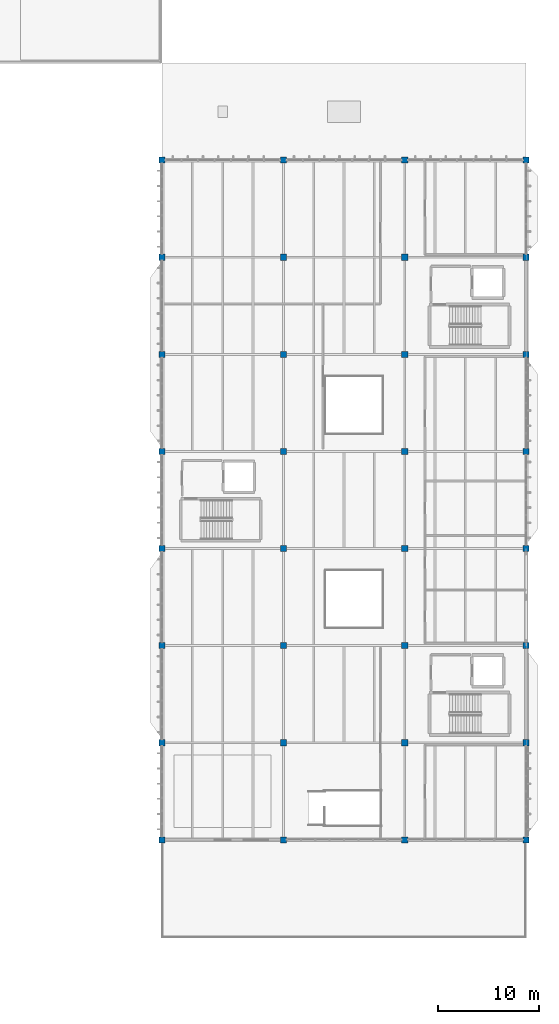
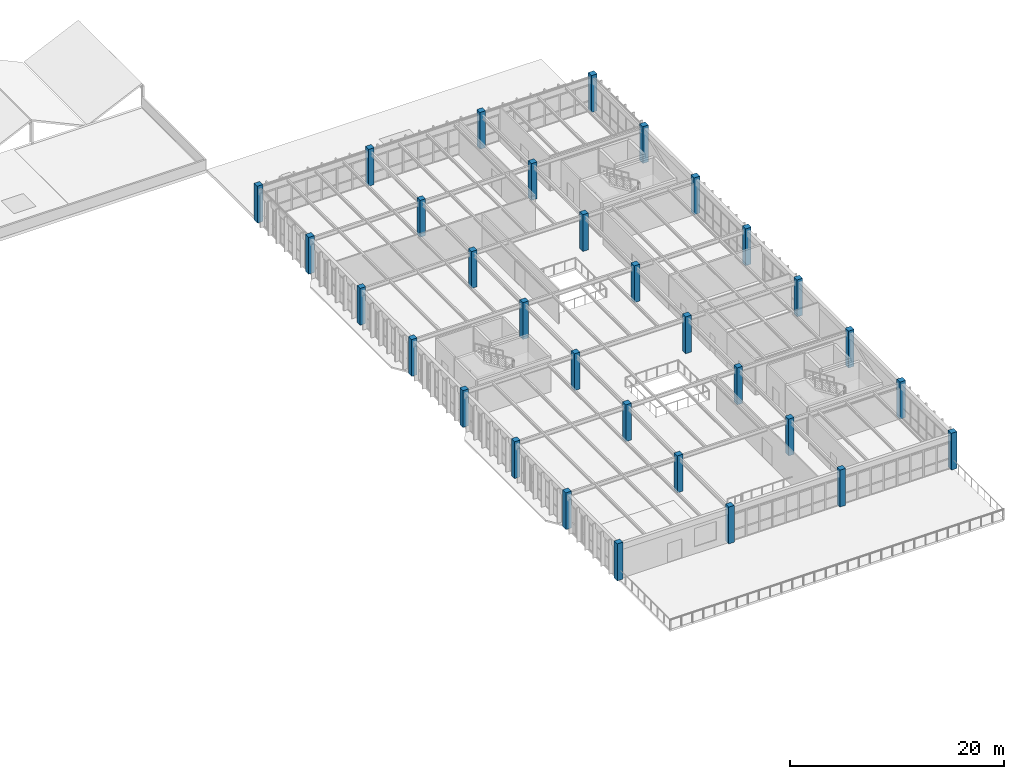
# One storey, part 5 of 83: 32 columns.
"""IFC4 building model written with IfcOpenShell, lengths in metres."""

from ifc_helpers import new_model, si_unit, direction, frame, origin, origin_2d, place, context, subcontext, project, spatial, rectangle, extrude, material, material_profile, profile_set, type_object, element, save


model = new_model("IFC4")

# Units and contexts
model_context = context("Model", 3, precision=1e-05, world=origin(), true_north=direction((0.0, 1.0)))
body_context = subcontext(model_context, "Body", "Model", "MODEL_VIEW")
ifc_project = project(units=[si_unit("LENGTHUNIT", "METRE"), si_unit("AREAUNIT", "SQUARE_METRE"), si_unit("VOLUMEUNIT", "CUBIC_METRE"), si_unit("PLANEANGLEUNIT", "RADIAN"), si_unit("MASSUNIT", "GRAM", prefix="KILO")], contexts=[model_context])

# Site, building, storey
site_placement = place(None, origin())
site = spatial("IfcSite", under=ifc_project, at=site_placement, CompositionType="ELEMENT")
building_placement = place(site_placement, origin())
building = spatial("IfcBuilding", under=site, at=building_placement, Name="Pandanus Reach Market Hall", CompositionType="ELEMENT")
storey_placement = place(building_placement, frame((0.0, 0.0, 10.199951171875)))
storey = spatial("IfcBuildingStorey", under=building, at=storey_placement, Name="L02", CompositionType="ELEMENT", Elevation=10.199951171875)

# Columns
ifc_material = material(Name="Concrete N40 (40 MPa)", Category="concrete")
ifc_material_profile_1 = material_profile(ifc_material, rectangle(XDim=0.60009765625, YDim=0.60009765625, at=origin_2d()), Name="RC600x600", Category="LoadBearing")
ifc_profile_set_1 = profile_set([ifc_material_profile_1], Name="Concrete N40 (40 MPa)")
column_type_1 = type_object("IfcColumnType", Name="CL-RC600-E", PredefinedType="COLUMN", material=ifc_profile_set_1)
for number, where, z_axis, x_axis, name in (
    (1, (144.0, 19.199951171875, 0.0), (0.0, 0.0, 1.0), (1.0, 0.0, 0.0), "Column CL-RC600-E V4-144-192 L02"),
    (2, (144.0, 28.800048828125, 0.0), (0.0, 0.0, 1.0), (1.0, 0.0, 0.0), "Column CL-RC600-E V4-144-288 L02"),
    (3, (144.0, 38.39990234375, 0.0), (0.0, 0.0, 1.0), (1.0, 0.0, 0.0), "Column CL-RC600-E V4-144-384 L02"),
    (4, (144.0, 48.0, 0.0), (0.0, 0.0, 1.0), (1.0, 0.0, 0.0), "Column CL-RC600-E V4-144-480 L02"),
    (5, (144.0, 57.60009765625, 0.0), (0.0, 0.0, 1.0), (1.0, 0.0, 0.0), "Column CL-RC600-E V4-144-576 L02"),
    (6, (144.0, 67.199951171875, 0.0), (0.0, 0.0, 1.0), (1.0, 0.0, 0.0), "Column CL-RC600-E V4-144-672 L02"),
    (7, (144.0, 76.800048828125, 0.0), (0.0, 0.0, 1.0), (1.0, 0.0, 0.0), "Column CL-RC600-E V4-144-768 L02"),
    (8, (144.0, 86.39990234375, 0.0), (0.0, 0.0, 1.0), (1.0, 0.0, 0.0), "Column CL-RC600-E V4-144-864 L02"),
    (9, (180.0, 19.199951171875, 0.0), (0.0, 0.0, 1.0), (1.0, 0.0, 0.0), "Column CL-RC600-E V4-180-192 L02"),
    (10, (180.0, 28.800048828125, 0.0), (0.0, 0.0, 1.0), (1.0, 0.0, 0.0), "Column CL-RC600-E V4-180-288 L02"),
    (11, (180.0, 38.39990234375, 0.0), (0.0, 0.0, 1.0), (1.0, 0.0, 0.0), "Column CL-RC600-E V4-180-384 L02"),
    (12, (180.0, 48.0, 0.0), (0.0, 0.0, 1.0), (1.0, 0.0, 0.0), "Column CL-RC600-E V4-180-480 L02"),
    (13, (180.0, 57.60009765625, 0.0), (0.0, 0.0, 1.0), (1.0, 0.0, 0.0), "Column CL-RC600-E V4-180-576 L02"),
    (14, (180.0, 67.199951171875, 0.0), (0.0, 0.0, 1.0), (1.0, 0.0, 0.0), "Column CL-RC600-E V4-180-672 L02"),
    (15, (180.0, 76.800048828125, 0.0), (0.0, 0.0, 1.0), (1.0, 0.0, 0.0), "Column CL-RC600-E V4-180-768 L02"),
    (16, (180.0, 86.39990234375, 0.0), (0.0, 0.0, 1.0), (1.0, 0.0, 0.0), "Column CL-RC600-E V4-180-864 L02"),
):
    element("IfcColumn", number, at=place(storey_placement, frame(where, z_axis=z_axis, x_axis=x_axis)), inside=storey, type_object=column_type_1, Name=name, PredefinedType="COLUMN", context=body_context, shape_type="SweptSolid", body=[
        extrude(rectangle(XDim=0.60009765625, YDim=0.60009765625, at=origin_2d()), origin(), (0.0, 0.0, 1.0), 4.199951171875),
    ])
ifc_material_profile_2 = material_profile(ifc_material, rectangle(XDim=0.60009765625, YDim=0.60009765625, at=origin_2d()), Name="RC600x600", Category="LoadBearing")
ifc_profile_set_2 = profile_set([ifc_material_profile_2], Name="Concrete N40 (40 MPa)")
column_type_2 = type_object("IfcColumnType", Name="CL-RC600-I", PredefinedType="COLUMN", material=ifc_profile_set_2)
for number, where, z_axis, x_axis, name in (
    (17, (156.0, 19.199951171875, 0.0), (0.0, 0.0, 1.0), (1.0, 0.0, 0.0), "Column CL-RC600-I V4-156-192 L02"),
    (18, (156.0, 28.800048828125, 0.0), (0.0, 0.0, 1.0), (1.0, 0.0, 0.0), "Column CL-RC600-I V4-156-288 L02"),
    (19, (156.0, 38.39990234375, 0.0), (0.0, 0.0, 1.0), (1.0, 0.0, 0.0), "Column CL-RC600-I V4-156-384 L02"),
    (20, (156.0, 48.0, 0.0), (0.0, 0.0, 1.0), (1.0, 0.0, 0.0), "Column CL-RC600-I V4-156-480 L02"),
    (21, (156.0, 57.60009765625, 0.0), (0.0, 0.0, 1.0), (1.0, 0.0, 0.0), "Column CL-RC600-I V4-156-576 L02"),
    (22, (156.0, 67.199951171875, 0.0), (0.0, 0.0, 1.0), (1.0, 0.0, 0.0), "Column CL-RC600-I V4-156-672 L02"),
    (23, (156.0, 76.800048828125, 0.0), (0.0, 0.0, 1.0), (1.0, 0.0, 0.0), "Column CL-RC600-I V4-156-768 L02"),
    (24, (156.0, 86.39990234375, 0.0), (0.0, 0.0, 1.0), (1.0, 0.0, 0.0), "Column CL-RC600-I V4-156-864 L02"),
    (25, (168.0, 19.199951171875, 0.0), (0.0, 0.0, 1.0), (1.0, 0.0, 0.0), "Column CL-RC600-I V4-168-192 L02"),
    (26, (168.0, 28.800048828125, 0.0), (0.0, 0.0, 1.0), (1.0, 0.0, 0.0), "Column CL-RC600-I V4-168-288 L02"),
    (27, (168.0, 38.39990234375, 0.0), (0.0, 0.0, 1.0), (1.0, 0.0, 0.0), "Column CL-RC600-I V4-168-384 L02"),
    (28, (168.0, 48.0, 0.0), (0.0, 0.0, 1.0), (1.0, 0.0, 0.0), "Column CL-RC600-I V4-168-480 L02"),
    (29, (168.0, 57.60009765625, 0.0), (0.0, 0.0, 1.0), (1.0, 0.0, 0.0), "Column CL-RC600-I V4-168-576 L02"),
    (30, (168.0, 67.199951171875, 0.0), (0.0, 0.0, 1.0), (1.0, 0.0, 0.0), "Column CL-RC600-I V4-168-672 L02"),
    (31, (168.0, 76.800048828125, 0.0), (0.0, 0.0, 1.0), (1.0, 0.0, 0.0), "Column CL-RC600-I V4-168-768 L02"),
    (32, (168.0, 86.39990234375, 0.0), (0.0, 0.0, 1.0), (1.0, 0.0, 0.0), "Column CL-RC600-I V4-168-864 L02"),
):
    element("IfcColumn", number, at=place(storey_placement, frame(where, z_axis=z_axis, x_axis=x_axis)), inside=storey, type_object=column_type_2, Name=name, PredefinedType="COLUMN", context=body_context, shape_type="SweptSolid", body=[
        extrude(rectangle(XDim=0.60009765625, YDim=0.60009765625, at=origin_2d()), origin(), (0.0, 0.0, 1.0), 4.199951171875),
    ])

save(model, "model.ifc")
